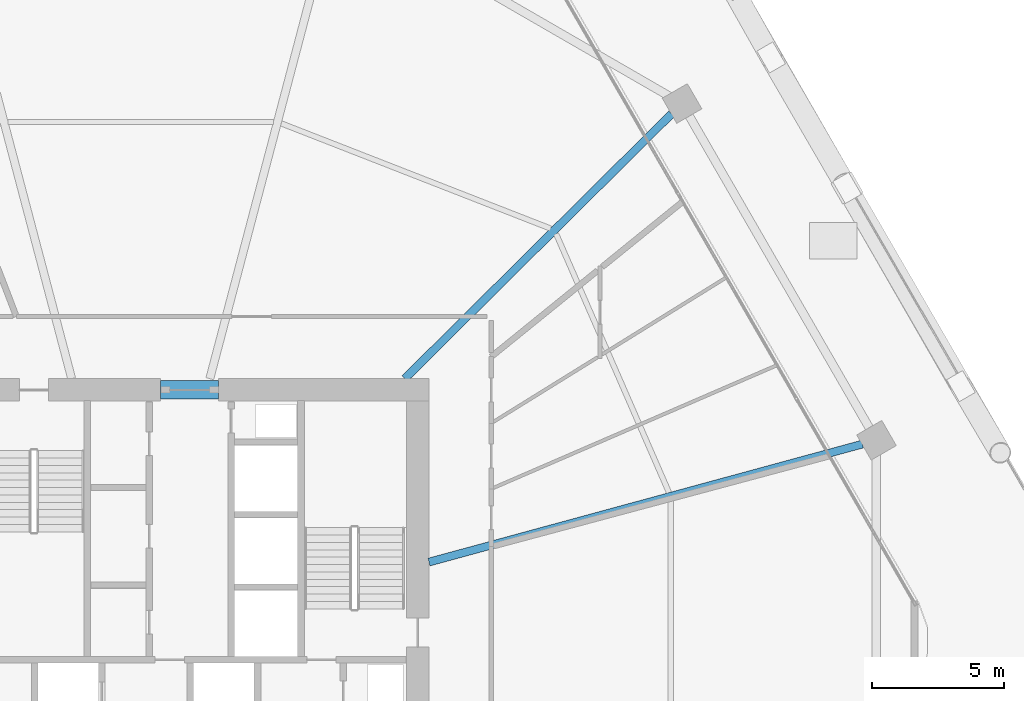
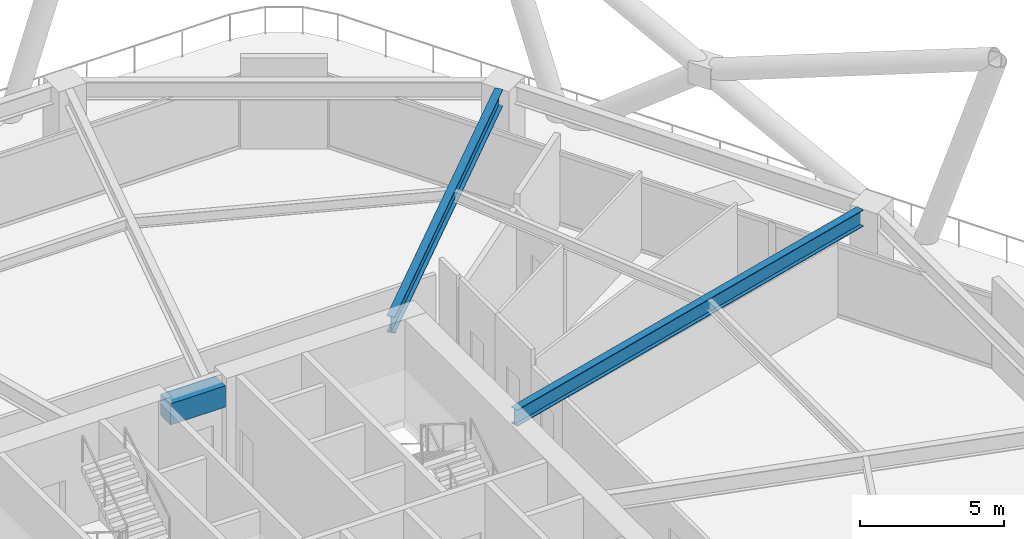
# One storey, part 17 of 28: 3 beams.
"""IFC4 building model written with IfcOpenShell, lengths in metres."""

import ifcopenshell
import ifcopenshell.guid

model = None  # the IFC model being written
_history = None  # IfcOwnerHistory: only IFC2X3 demands one
_inside = {}  # id of a spatial element -> (the spatial element, [elements in it])
_under = {}  # id of a project, library or spatial element -> (it, [spatial elements below it])
_declared = {}  # id of a project -> (the project, [libraries it declares])
_typed = {}  # id of a type object -> (the type object, [elements of that type])
_made_of = {}  # id of a material, layer set ... -> (it, [elements and type objects made of it])


def new_model(schema):
    """Start an empty IFC model of exactly this schema.

    Asked for "IFC4X3", IfcOpenShell would pick the latest addendum, in which some entities
    have other attributes; the version numbers below select the first issue.
    IFC2X3 requires an IfcOwnerHistory on every rooted entity: one is made here for all.
    """
    global model, _history
    if schema == "IFC4X3":
        model = ifcopenshell.file(schema_version=(4, 3, 0, 0))
    else:
        model = ifcopenshell.file(schema=schema)
    _inside.clear()
    _under.clear()
    _declared.clear()
    _typed.clear()
    _made_of.clear()
    _history = None
    if model.schema == "IFC2X3":
        org = make("IfcOrganization", Name="unknown")
        user = make(
            "IfcPersonAndOrganization",
            ThePerson=make("IfcPerson", FamilyName="unknown"),
            TheOrganization=org,
        )
        app = make(
            "IfcApplication",
            ApplicationDeveloper=org,
            Version="unknown",
            ApplicationFullName="unknown",
            ApplicationIdentifier="unknown",
        )
        _history = make(
            "IfcOwnerHistory",
            OwningUser=user,
            OwningApplication=app,
            ChangeAction="ADDED",
            CreationDate=0,
        )
    return model


def make(cls, **values):
    """One entity of the class cls with the attributes given. An attribute that is None is left unset."""
    return model.create_entity(
        cls, **{name: value for name, value in values.items() if value is not None}
    )


def rooted(cls, **values):
    """An entity with a GlobalId (a new one), such as an element, a storey or a relation."""
    return make(cls, GlobalId=ifcopenshell.guid.new(), OwnerHistory=_history, **values)


def si_unit(unit_type, name, prefix=None):
    """IfcSIUnit, for example si_unit("LENGTHUNIT", "METRE", prefix="MILLI")."""
    return make("IfcSIUnit", UnitType=unit_type, Prefix=prefix, Name=name)


def assignment(units):
    """IfcUnitAssignment: the units of a project."""
    return None if units is None else make("IfcUnitAssignment", Units=units)


def point(xyz):
    """IfcCartesianPoint."""
    return None if xyz is None else make("IfcCartesianPoint", Coordinates=xyz)


def direction(xyz):
    """IfcDirection."""
    return None if xyz is None else make("IfcDirection", DirectionRatios=xyz)


def frame(location, z_axis=None, x_axis=None):
    """IfcAxis2Placement3D, a coordinate frame: its origin and axes. An axis left out is left unset."""
    return make(
        "IfcAxis2Placement3D",
        Location=point(location),
        Axis=direction(z_axis),
        RefDirection=direction(x_axis),
    )


def frame_2d(location, x_axis=None):
    """IfcAxis2Placement2D, a coordinate frame in the plane: its origin and x axis."""
    return make(
        "IfcAxis2Placement2D", Location=point(location), RefDirection=direction(x_axis)
    )


def origin():
    """The frame at (0, 0, 0) with its axes left unset."""
    return frame((0.0, 0.0, 0.0))


def origin_2d():
    """The frame at (0, 0) in the plane with its x axis left unset."""
    return frame_2d((0.0, 0.0))


def place(relative_to, where):
    """IfcLocalPlacement: puts the frame where relative to a parent placement (None: the world)."""
    return make(
        "IfcLocalPlacement", PlacementRelTo=relative_to, RelativePlacement=where
    )


def context(
    kind, dimensions, precision=None, world=None, true_north=None, identifier=None
):
    """IfcGeometricRepresentationContext, for example the 3D "Model" context."""
    return make(
        "IfcGeometricRepresentationContext",
        ContextIdentifier=identifier,
        ContextType=kind,
        CoordinateSpaceDimension=dimensions,
        Precision=precision,
        WorldCoordinateSystem=world,
        TrueNorth=true_north,
    )


def subcontext(parent, identifier, kind, view, scale=None):
    """IfcGeometricRepresentationSubContext, for example "Body" below "Model"."""
    return make(
        "IfcGeometricRepresentationSubContext",
        ContextIdentifier=identifier,
        ContextType=kind,
        ParentContext=parent,
        TargetScale=scale,
        TargetView=view,
    )


def project(units=None, contexts=None):
    """IfcProject with its units and contexts."""
    return rooted(
        "IfcProject",
        Name="project",
        RepresentationContexts=contexts,
        UnitsInContext=assignment(units),
    )


def spatial(cls, under=None, at=None, **own):
    """A site, building, storey or space (cls), placed at a placement, below another one or the project."""
    s = rooted(cls, ObjectPlacement=at, **own)
    if under is not None:
        _under.setdefault(under.id(), (under, []))[1].append(s)
    return s


def profile(cls, at=None, kind="AREA", **sizes):
    """A parametric profile (cls). Its sizes go by their IFC names, for example OverallWidth=200.0."""
    return make(cls, ProfileType=kind, Position=at, **sizes)


def rectangle(**sizes):
    """IfcRectangleProfileDef."""
    return profile("IfcRectangleProfileDef", **sizes)


def i_section(**sizes):
    """IfcIShapeProfileDef."""
    return profile("IfcIShapeProfileDef", **sizes)


def extrude(swept, where, along, depth):
    """IfcExtrudedAreaSolid: the profile swept, set in the frame where, extruded along a direction by depth."""
    return make(
        "IfcExtrudedAreaSolid",
        SweptArea=swept,
        Position=where,
        ExtrudedDirection=direction(along),
        Depth=depth,
    )


def shape(context_of_items, identifier, shape_type, items):
    """IfcShapeRepresentation: the items that make up one representation, for example the "Body"."""
    return make(
        "IfcShapeRepresentation",
        ContextOfItems=context_of_items,
        RepresentationIdentifier=identifier,
        RepresentationType=shape_type,
        Items=items,
    )


def material(Name=None, Category=None):
    """IfcMaterial."""
    return make("IfcMaterial", Name=Name, Category=Category)


def material_profile(
    of_material, cross_section, Name=None, Category=None, Priority=None
):
    """IfcMaterialProfile: a cross section and its material."""
    return make(
        "IfcMaterialProfile",
        Name=Name,
        Material=of_material,
        Profile=cross_section,
        Priority=Priority,
        Category=Category,
    )


def profile_set(profiles, Name=None, composite=None):
    """IfcMaterialProfileSet."""
    return make(
        "IfcMaterialProfileSet",
        Name=Name,
        MaterialProfiles=profiles,
        CompositeProfile=composite,
    )


def made_of(thing, what):
    """Note that an element or type object is made of a material, layer set ...; save() writes the relation."""
    if what is not None:
        _made_of.setdefault(what.id(), (what, []))[1].append(thing)
    return thing


def type_object(cls, material=None, **own):
    """A type object (cls), such as IfcWallType, which elements share."""
    return made_of(rooted(cls, **own), material)


def element(
    cls,
    number,
    at=None,
    inside=None,
    cuts=None,
    type_object=None,
    material=None,
    context=None,
    identifier="Body",
    shape_type=None,
    held_by="IfcProductDefinitionShape",
    body=None,
    shapes=None,
    **own,
):
    """One element of the class cls, such as IfcWall. Its Tag is "e" and its number.

    at: its placement. inside: the storey or other place that contains it. cuts: it is an
    opening in that element (IfcRelVoidsElement). A single representation is given by context,
    identifier, shape_type and body (its items); several are given by shapes. held_by: the class
    of the entity that holds the representations. save() writes the other relations.
    """
    e = rooted(cls, Tag="e%d" % number, ObjectPlacement=at, **own)
    if body is not None:
        shapes = [shape(context, identifier, shape_type, body)]
    if shapes is not None:
        e.Representation = make(held_by, Representations=shapes)
    if inside is not None:
        _inside.setdefault(inside.id(), (inside, []))[1].append(e)
    if cuts is not None:
        rooted(
            "IfcRelVoidsElement", RelatingBuildingElement=cuts, RelatedOpeningElement=e
        )
    if type_object is not None:
        _typed.setdefault(type_object.id(), (type_object, []))[1].append(e)
    return made_of(e, material)


def aggregate(whole, parts):
    """IfcRelAggregates: a whole, such as a stair, and the parts it consists of."""
    return rooted("IfcRelAggregates", RelatingObject=whole, RelatedObjects=parts)


def save(model, path):
    """Write the relations noted so far, then the file.

    IfcRelAggregates (storeys below a building ...), IfcRelContainedInSpatialStructure (elements
    in a storey), IfcRelDefinesByType, IfcRelAssociatesMaterial and IfcRelDeclares: one each for
    every whole, place, type object, material and project.
    """
    for whole, parts in _under.values():
        aggregate(whole, parts)
    for where, things in _inside.values():
        rooted(
            "IfcRelContainedInSpatialStructure",
            RelatedElements=things,
            RelatingStructure=where,
        )
    for kind, things in _typed.values():
        rooted("IfcRelDefinesByType", RelatedObjects=things, RelatingType=kind)
    for what, things in _made_of.values():
        rooted("IfcRelAssociatesMaterial", RelatedObjects=things, RelatingMaterial=what)
    for by, libraries in _declared.values():
        rooted("IfcRelDeclares", RelatingContext=by, RelatedDefinitions=libraries)
    model.write(path)


model = new_model("IFC4")

# Units and contexts
model_context = context("Model", 3, precision=1e-05, world=origin(), true_north=direction((0.0, 1.0)))
body_context = subcontext(model_context, "Body", "Model", "MODEL_VIEW")
ifc_project = project(units=[si_unit("LENGTHUNIT", "METRE"), si_unit("AREAUNIT", "SQUARE_METRE"), si_unit("VOLUMEUNIT", "CUBIC_METRE"), si_unit("PLANEANGLEUNIT", "RADIAN"), si_unit("MASSUNIT", "GRAM", prefix="KILO")], contexts=[model_context])

# Site, building, storey
site_placement = place(None, origin())
site = spatial("IfcSite", under=ifc_project, at=site_placement, CompositionType="ELEMENT")
building_placement = place(site_placement, origin())
building = spatial("IfcBuilding", under=site, at=building_placement, Name="Zuhravey Tower", CompositionType="ELEMENT")
storey_placement = place(building_placement, frame((0.0, 0.0, 83.39990234375)))
storey = spatial("IfcBuildingStorey", under=building, at=storey_placement, Name="L20", CompositionType="ELEMENT", Elevation=83.39990234375)

# Beams
ifc_material_1 = material(Name="Concrete C60/75", Category="concrete")
ifc_material_profile_1 = material_profile(ifc_material_1, rectangle(XDim=0.699951171875, YDim=0.89990234375, at=origin_2d()), Name="RC-700x900")
ifc_profile_set_1 = profile_set([ifc_material_profile_1], Name="Concrete C60/75")
beam_type_1 = type_object("IfcBeamType", Name="Core Coupling Beam RC700x900", PredefinedType="LINTEL", material=ifc_profile_set_1)
beam_1_placement = place(storey_placement, frame((36.751953125, 41.5, 3.400146484375), z_axis=(1.0, 0.0, 0.0), x_axis=(0.0, 1.0, 0.0)))
element("IfcBeam", 1, at=beam_1_placement, inside=storey, type_object=beam_type_1, Name="L20 CB1 BM-L20-CB-N", PredefinedType="LINTEL", context=body_context, shape_type="SweptSolid", body=[
    extrude(rectangle(XDim=0.699951171875, YDim=0.89990234375, at=origin_2d()), origin(), (0.0, 0.0, 1.0), 2.196044921875),
])
ifc_material_2 = material(Name="Steel SM355", Category="steel")
ifc_material_profile_2 = material_profile(ifc_material_2, i_section(OverallWidth=0.300048828125, OverallDepth=0.699951171875, WebThickness=0.012939453125, FlangeThickness=0.02392578125, at=origin_2d()), Name="H-700x300x13x24")
ifc_profile_set_2 = profile_set([ifc_material_profile_2], Name="Steel SM355")
beam_type_2 = type_object("IfcBeamType", Name="Radial Primary Girder H700x300", PredefinedType="BEAM", material=ifc_profile_set_2)
beam_2_placement = place(storey_placement, frame((46.927978515625, 34.974609375, 3.5), z_axis=(0.964891112932, 0.262650224032, 0.0), x_axis=(-0.262650224032, 0.964891112932, 0.0)))
element("IfcBeam", 2, at=beam_2_placement, inside=storey, type_object=beam_type_2, Name="L20 RG1 BM-L20-RAD-01", PredefinedType="BEAM", context=body_context, shape_type="SweptSolid", body=[
    extrude(i_section(OverallWidth=0.300048828125, OverallDepth=0.699951171875, WebThickness=0.012939453125, FlangeThickness=0.02392578125, at=origin_2d()), origin(), (0.0, 0.0, 1.0), 17.025146484375),
])
beam_3_placement = place(storey_placement, frame((46.007080078125, 41.927978515625, 3.5), z_axis=(0.709901518563, 0.704300954097, 0.0), x_axis=(-0.704300954097, 0.709901518563, 0.0)))
element("IfcBeam", 3, at=beam_3_placement, inside=storey, type_object=beam_type_2, Name="L20 RG1 BM-L20-RAD-02", PredefinedType="BEAM", context=body_context, shape_type="SweptSolid", body=[
    extrude(i_section(OverallWidth=0.300048828125, OverallDepth=0.699951171875, WebThickness=0.012939453125, FlangeThickness=0.02392578125, at=origin_2d()), origin(), (0.0, 0.0, 1.0), 14.254638671875),
])

save(model, "model.ifc")
